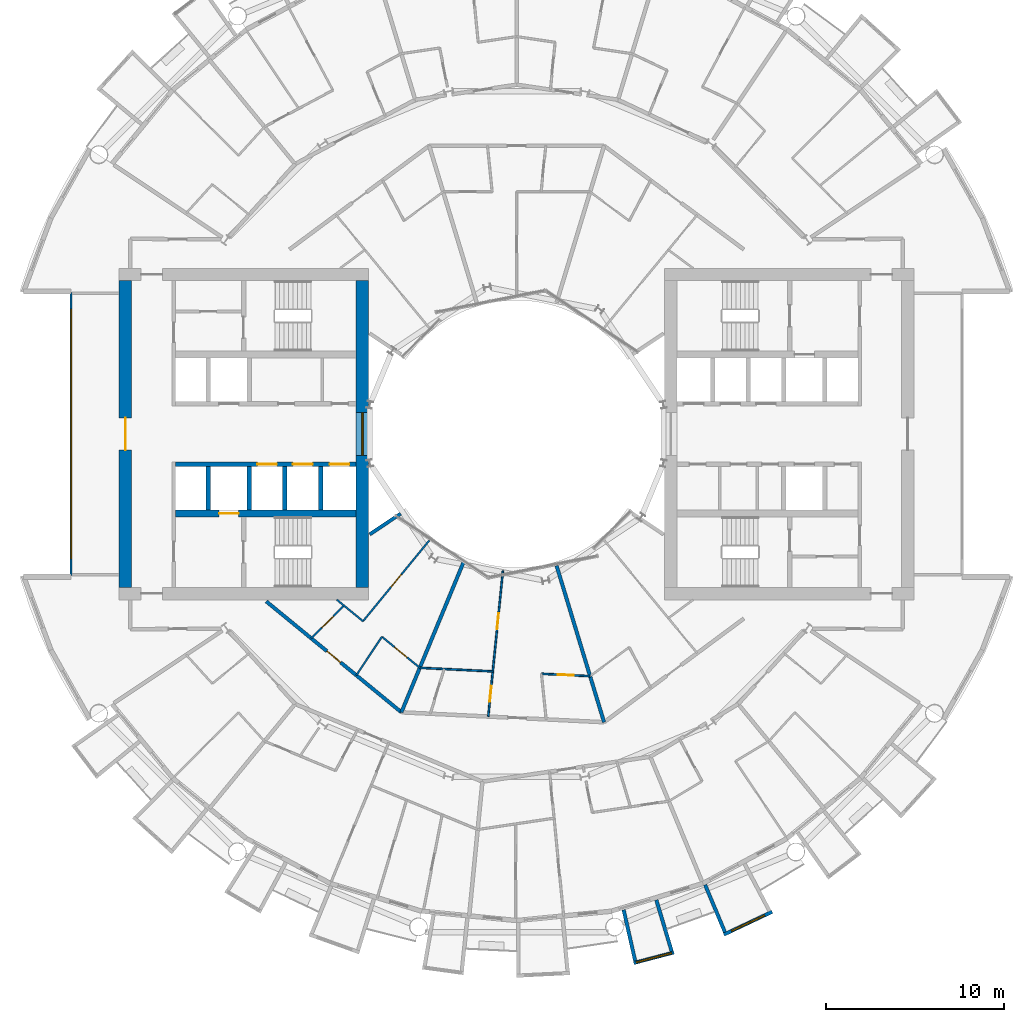
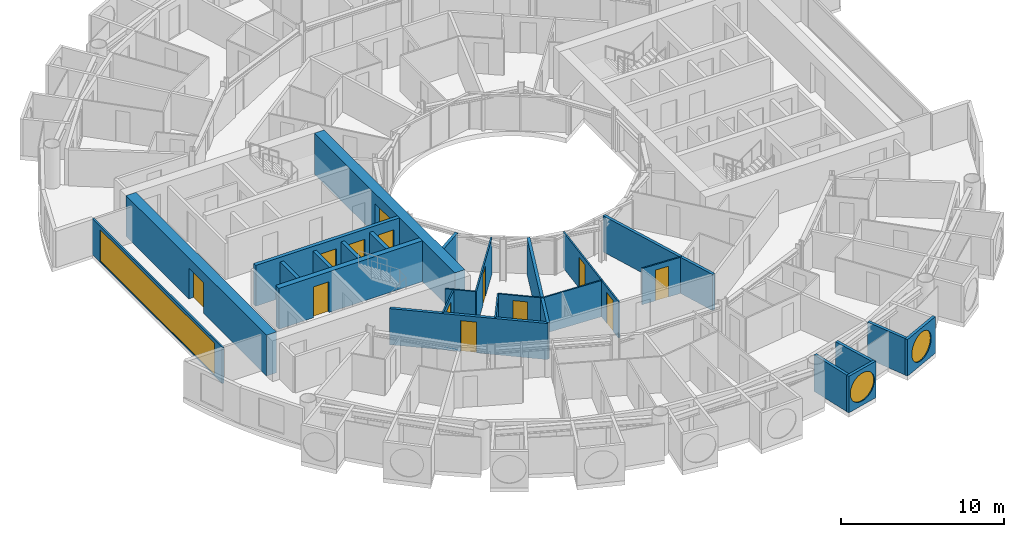
# One storey, part 15 of 26: 26 walls, 12 doors, 4 windows, 16 openings.
"""IFC4 building model written with IfcOpenShell, lengths in metres."""

from ifc_helpers import new_model, si_unit, direction, frame, frame_2d, origin, place, context, subcontext, project, spatial, rectangle, circle, extrude, material, layer, layer_set, type_object, element, fill, save


model = new_model("IFC4")

# Units and contexts
model_context = context("Model", 3, precision=1e-05, world=origin(), true_north=direction((0.0, 1.0)))
body_context = subcontext(model_context, "Body", "Model", "MODEL_VIEW")
ifc_project = project(units=[si_unit("LENGTHUNIT", "METRE"), si_unit("AREAUNIT", "SQUARE_METRE"), si_unit("VOLUMEUNIT", "CUBIC_METRE"), si_unit("PLANEANGLEUNIT", "RADIAN"), si_unit("MASSUNIT", "GRAM", prefix="KILO")], contexts=[model_context])

# Site, building, storey
site_placement = place(None, origin())
site = spatial("IfcSite", under=ifc_project, at=site_placement, CompositionType="ELEMENT")
building_placement = place(site_placement, origin())
building = spatial("IfcBuilding", under=site, at=building_placement, Name="Maasbend Ring Residences", CompositionType="ELEMENT")
storey_placement = place(building_placement, frame((0.0, 0.0, 78.85009765625)))
storey = spatial("IfcBuildingStorey", under=building, at=storey_placement, Name="L22", CompositionType="ELEMENT", Elevation=78.85009765625)

# Wall, openings, doors
ifc_material_1 = material(Name="Concrete C70/85", Category="concrete")
ifc_layer_1 = layer(ifc_material_1, 0.25)
ifc_layer_set_1 = layer_set([ifc_layer_1], Name="Concrete C70/85")
wall_type_1 = type_object("IfcWallType", Name="CORE WALL 250 C70/85", PredefinedType="SHEAR", material=ifc_layer_set_1)
wall_1_placement = place(storey_placement, frame((-9.0, -1.699951171875, 0.0), z_axis=(0.0, 0.0, 1.0), x_axis=(-1.0, 0.0, 0.0)))
wall_1 = element("IfcWall", 1, at=wall_1_placement, inside=storey, type_object=wall_type_1, Name="L22 core W wall SPN", PredefinedType="SHEAR", context=body_context, shape_type="SweptSolid", body=[
    extrude(rectangle(XDim=10.14990234375, YDim=0.25, at=frame_2d((5.074951171875, 0.0))), origin(), (0.0, 0.0, 1.0), 3.0498046875),
])
opening_1_placement = place(wall_1_placement, frame((0.387451171875, 0.0, 0.0)))
opening_1 = element("IfcOpeningElement", 2, at=opening_1_placement, cuts=wall_1, Name="Opening LD-W2201", PredefinedType="OPENING", context=body_context, shape_type="SweptSolid", body=[
    extrude(rectangle(XDim=1.10009765625, YDim=2.300048828125, at=frame_2d((0.550048828125, 1.14990234375))), frame((0.0, 0.135009765625, 0.0), z_axis=(0.0, -1.0, 0.0), x_axis=(1.0, 0.0, 0.0)), (0.0, 0.0, 1.0), 0.27001953125),
])
opening_2_placement = place(wall_1_placement, frame((2.449951171875, 0.0, 0.0)))
opening_2 = element("IfcOpeningElement", 3, at=opening_2_placement, cuts=wall_1, Name="Opening LD-W2202", PredefinedType="OPENING", context=body_context, shape_type="SweptSolid", body=[
    extrude(rectangle(XDim=1.10009765625, YDim=2.300048828125, at=frame_2d((0.550048828125, 1.14990234375))), frame((0.0, 0.135009765625, 0.0), z_axis=(0.0, -1.0, 0.0), x_axis=(1.0, 0.0, 0.0)), (0.0, 0.0, 1.0), 0.27001953125),
])
opening_3_placement = place(wall_1_placement, frame((4.449951171875, 0.0, 0.0)))
opening_3 = element("IfcOpeningElement", 4, at=opening_3_placement, cuts=wall_1, Name="Opening LD-W2203", PredefinedType="OPENING", context=body_context, shape_type="SweptSolid", body=[
    extrude(rectangle(XDim=1.10009765625, YDim=2.300048828125, at=frame_2d((0.550048828125, 1.14990234375))), frame((0.0, 0.135009765625, 0.0), z_axis=(0.0, -1.0, 0.0), x_axis=(1.0, 0.0, 0.0)), (0.0, 0.0, 1.0), 0.27001953125),
])
ifc_material_2 = material(Name="Stainless steel 316", Category="steel")
door_type_1 = type_object("IfcDoorType", Name="LANDING DOOR 1100 X 2300 FD60", OperationType="DOUBLE_DOOR_SLIDING", PredefinedType="DOOR", material=ifc_material_2)
door_1_placement = place(opening_1_placement, origin())
door_1 = element("IfcDoor", 5, at=door_1_placement, inside=storey, type_object=door_type_1, Name="Landing door LR-W1 L22", OperationType="DOUBLE_DOOR_SLIDING", OverallHeight=2.300048828125, OverallWidth=1.10009765625, PredefinedType="DOOR", context=body_context, shape_type="SweptSolid", body=[
    extrude(rectangle(XDim=1.10009765625, YDim=2.300048828125, at=frame_2d((0.550048828125, 1.14990234375))), frame((0.0, 0.02490234375, 0.0), z_axis=(0.0, -1.0, 0.0), x_axis=(1.0, 0.0, 0.0)), (0.0, 0.0, 1.0), 0.050048828125),
])
fill(opening_1, door_1)
door_2_placement = place(opening_2_placement, origin())
door_2 = element("IfcDoor", 6, at=door_2_placement, inside=storey, type_object=door_type_1, Name="Landing door LR-W2 L22", OperationType="DOUBLE_DOOR_SLIDING", OverallHeight=2.300048828125, OverallWidth=1.10009765625, PredefinedType="DOOR", context=body_context, shape_type="SweptSolid", body=[
    extrude(rectangle(XDim=1.10009765625, YDim=2.300048828125, at=frame_2d((0.550048828125, 1.14990234375))), frame((0.0, 0.02490234375, 0.0), z_axis=(0.0, -1.0, 0.0), x_axis=(1.0, 0.0, 0.0)), (0.0, 0.0, 1.0), 0.050048828125),
])
fill(opening_2, door_2)
door_3_placement = place(opening_3_placement, origin())
door_3 = element("IfcDoor", 7, at=door_3_placement, inside=storey, type_object=door_type_1, Name="Landing door LR-W3 L22", OperationType="DOUBLE_DOOR_SLIDING", OverallHeight=2.300048828125, OverallWidth=1.10009765625, PredefinedType="DOOR", context=body_context, shape_type="SweptSolid", body=[
    extrude(rectangle(XDim=1.10009765625, YDim=2.300048828125, at=frame_2d((0.550048828125, 1.14990234375))), frame((0.0, 0.02490234375, 0.0), z_axis=(0.0, -1.0, 0.0), x_axis=(1.0, 0.0, 0.0)), (0.0, 0.0, 1.0), 0.050048828125),
])
fill(opening_3, door_3)

# Wall, opening, door
ifc_material_3 = material(Name="Concrete C70/85", Category="concrete")
ifc_layer_2 = layer(ifc_material_3, 0.375)
ifc_layer_set_2 = layer_set([ifc_layer_2], Name="Concrete C70/85")
wall_type_2 = type_object("IfcWallType", Name="CORE WALL 375 C70/85", PredefinedType="SHEAR", material=ifc_layer_set_2)
wall_2_placement = place(storey_placement, frame((-9.0, -4.46240234375, 0.0), z_axis=(0.0, 0.0, 1.0), x_axis=(-1.0, 0.0, 0.0)))
wall_2 = element("IfcWall", 8, at=wall_2_placement, inside=storey, type_object=wall_type_2, Name="L22 core W wall BN", PredefinedType="SHEAR", context=body_context, shape_type="SweptSolid", body=[
    extrude(rectangle(XDim=10.14990234375, YDim=0.375, at=frame_2d((5.074951171875, 0.0))), origin(), (0.0, 0.0, 1.0), 3.0498046875),
])
opening_4_placement = place(wall_2_placement, frame((6.60009765625, 0.0, 0.0)))
opening_4 = element("IfcOpeningElement", 9, at=opening_4_placement, cuts=wall_2, Name="Opening LD-W2204", PredefinedType="OPENING", context=body_context, shape_type="SweptSolid", body=[
    extrude(rectangle(XDim=1.10009765625, YDim=2.300048828125, at=frame_2d((0.550048828125, 1.14990234375))), frame((0.0, 0.197509765625, 0.0), z_axis=(0.0, -1.0, 0.0), x_axis=(1.0, 0.0, 0.0)), (0.0, 0.0, 1.0), 0.39501953125),
])
door_4_placement = place(opening_4_placement, origin())
door_4 = element("IfcDoor", 10, at=door_4_placement, inside=storey, type_object=door_type_1, Name="Landing door FF-W L22", OperationType="DOUBLE_DOOR_SLIDING", OverallHeight=2.300048828125, OverallWidth=1.10009765625, PredefinedType="DOOR", context=body_context, shape_type="SweptSolid", body=[
    extrude(rectangle(XDim=1.10009765625, YDim=2.300048828125, at=frame_2d((0.550048828125, 1.14990234375))), frame((0.0, 0.02490234375, 0.0), z_axis=(0.0, -1.0, 0.0), x_axis=(1.0, 0.0, 0.0)), (0.0, 0.0, 1.0), 0.050048828125),
])
fill(opening_4, door_4)

ifc_material_4 = material(Name="Concrete C70/85", Category="concrete")
ifc_layer_3 = layer(ifc_material_4, 0.699951171875)
ifc_layer_set_3 = layer_set([ifc_layer_3], Name="Concrete C70/85")
wall_type_3 = type_object("IfcWallType", Name="CORE WALL 700 C70/85", PredefinedType="SHEAR", material=ifc_layer_set_3)
wall_3_placement = place(storey_placement, frame((-21.949951171875, -8.60009765625, 0.0), z_axis=(0.0, 0.0, 1.0), x_axis=(0.0, 1.0, 0.0)))
wall_3 = element("IfcWall", 11, at=wall_3_placement, inside=storey, type_object=wall_type_3, Name="L22 core W wall POUT", PredefinedType="SHEAR", context=body_context, shape_type="SweptSolid", body=[
    extrude(rectangle(XDim=17.2001953125, YDim=0.699951171875, at=frame_2d((8.60009765625, 0.0))), origin(), (0.0, 0.0, 1.0), 3.0498046875),
])
opening_5_placement = place(wall_3_placement, frame((7.699951171875, 0.0, 0.0)))
opening_5 = element("IfcOpeningElement", 12, at=opening_5_placement, cuts=wall_3, Name="Opening D-W2215", PredefinedType="OPENING", context=body_context, shape_type="SweptSolid", body=[
    extrude(rectangle(XDim=1.800048828125, YDim=2.300048828125, at=frame_2d((0.89990234375, 1.14990234375))), frame((0.0, 0.35986328125, 0.0), z_axis=(0.0, -1.0, 0.0), x_axis=(1.0, 0.0, 0.0)), (0.0, 0.0, 1.0), 0.719970703125),
])
ifc_material_5 = material(Name="Aluminium frame, clear glass", Category="aluminium")
door_type_2 = type_object("IfcDoorType", Name="ENTRANCE DOOR 1800 X 2300 FD60", OperationType="NOTDEFINED", PredefinedType="DOOR", material=ifc_material_5)
door_5_placement = place(opening_5_placement, origin())
door_5 = element("IfcDoor", 13, at=door_5_placement, inside=storey, type_object=door_type_2, Name="Lobby glazed door L22", OperationType="SINGLE_SWING_LEFT", OverallHeight=2.300048828125, OverallWidth=1.800048828125, PredefinedType="DOOR", context=body_context, shape_type="SweptSolid", body=[
    extrude(rectangle(XDim=1.800048828125, YDim=2.300048828125, at=frame_2d((0.89990234375, 1.14990234375))), frame((0.0, 0.02490234375, 0.0), z_axis=(0.0, -1.0, 0.0), x_axis=(1.0, 0.0, 0.0)), (0.0, 0.0, 1.0), 0.050048828125),
])
fill(opening_5, door_5)

# Wall, opening, window
wall_4_placement = place(storey_placement, frame((-8.64990234375, 8.60009765625, 0.0), z_axis=(0.0, 0.0, 1.0), x_axis=(0.0, -1.0, 0.0)))
wall_4 = element("IfcWall", 14, at=wall_4_placement, inside=storey, type_object=wall_type_3, Name="L22 core W wall PIN", PredefinedType="SHEAR", context=body_context, shape_type="SweptSolid", body=[
    extrude(rectangle(XDim=17.2001953125, YDim=0.699951171875, at=frame_2d((8.60009765625, 0.0))), origin(), (0.0, 0.0, 1.0), 3.0498046875),
])
opening_6_placement = place(wall_4_placement, frame((7.39990234375, 0.0, 0.10009765625)))
opening_6 = element("IfcOpeningElement", 15, at=opening_6_placement, cuts=wall_4, Name="Opening W-W2201", PredefinedType="OPENING", context=body_context, shape_type="SweptSolid", body=[
    extrude(rectangle(XDim=2.39990234375, YDim=2.199951171875, at=frame_2d((1.199951171875, 1.10009765625))), frame((0.0, 0.35986328125, 0.0), z_axis=(0.0, -1.0, 0.0), x_axis=(1.0, 0.0, 0.0)), (0.0, 0.0, 1.0), 0.719970703125),
])
ifc_material_6 = material(Name="Aluminium frame and clear glass", Category="aluminium")
window_type_1 = type_object("IfcWindowType", Name="FIXED WINDOW 2400 X 2200", PartitioningType="SINGLE_PANEL", PredefinedType="WINDOW", material=ifc_material_6)
window_1_placement = place(opening_6_placement, origin())
window_1 = element("IfcWindow", 16, at=window_1_placement, inside=storey, type_object=window_type_1, Name="Lobby window L22", OverallHeight=2.199951171875, OverallWidth=2.39990234375, PartitioningType="SINGLE_PANEL", PredefinedType="WINDOW", context=body_context, shape_type="SweptSolid", body=[
    extrude(rectangle(XDim=2.39990234375, YDim=2.199951171875, at=frame_2d((1.199951171875, 1.10009765625))), frame((0.0, 0.030029296875, 0.0), z_axis=(0.0, -1.0, 0.0), x_axis=(1.0, 0.0, 0.0)), (0.0, 0.0, 1.0), 0.06005859375),
])
fill(opening_6, window_1)

# Wall, opening, door
ifc_material_7 = material(Name="Concrete C30/37", Category="concrete")
ifc_layer_4 = layer(ifc_material_7, 0.199951171875)
ifc_layer_set_4 = layer_set([ifc_layer_4], Name="Concrete C30/37")
wall_type_4 = type_object("IfcWallType", Name="CORRIDOR WALL 200 CONCRETE", PredefinedType="PARTITIONING", material=ifc_layer_set_4)
wall_5_placement = place(storey_placement, frame((-14.050048828125, -9.39208984375, 0.0), z_axis=(0.0, 0.0, 1.0), x_axis=(0.773074935257, -0.634314704605, 0.0)))
wall_5 = element("IfcWall", 17, at=wall_5_placement, inside=storey, type_object=wall_type_4, Name="U-L22-w019", PredefinedType="PARTITIONING", context=body_context, shape_type="SweptSolid", body=[
    extrude(rectangle(XDim=9.808837890625, YDim=0.199951171875, at=frame_2d((4.904296875, 0.0))), origin(), (0.0, 0.0, 1.0), 2.699951171875),
])
opening_7_placement = place(wall_5_placement, frame((4.402099609375, 0.0, 0.0)))
opening_7 = element("IfcOpeningElement", 18, at=opening_7_placement, cuts=wall_5, Name="Opening D-2255", PredefinedType="OPENING", context=body_context, shape_type="SweptSolid", body=[
    extrude(rectangle(XDim=1.0, YDim=2.300048828125, at=frame_2d((0.5, 1.14990234375))), frame((0.0, 0.10986328125, 0.0), z_axis=(0.0, -1.0, 0.0), x_axis=(1.0, 0.0, 0.0)), (0.0, 0.0, 1.0), 0.219970703125),
])
ifc_material_8 = material(Name="Timber, fire-rated, painted", Category="wood")
door_type_3 = type_object("IfcDoorType", Name="FLAT ENTRANCE DOOR 1000 X 2300 FIRE-RATED", OperationType="NOTDEFINED", PredefinedType="DOOR", material=ifc_material_8)
door_6_placement = place(opening_7_placement, origin())
door_6 = element("IfcDoor", 19, at=door_6_placement, inside=storey, type_object=door_type_3, Name="D-2255", OperationType="SINGLE_SWING_LEFT", OverallHeight=2.300048828125, OverallWidth=1.0, PredefinedType="DOOR", context=body_context, shape_type="SweptSolid", body=[
    extrude(rectangle(XDim=1.0, YDim=2.300048828125, at=frame_2d((0.5, 1.14990234375))), frame((0.0, 0.02490234375, 0.0), z_axis=(0.0, -1.0, 0.0), x_axis=(1.0, 0.0, 0.0)), (0.0, 0.0, 1.0), 0.050048828125),
])
fill(opening_7, door_6)

# Wall, opening, window
ifc_material_9 = material(Name="Pale anodised aluminium panel", Category="aluminium")
ifc_layer_5 = layer(ifc_material_9, 0.199951171875)
ifc_layer_set_5 = layer_set([ifc_layer_5], Name="EW-BOX")
wall_type_5 = type_object("IfcWallType", Name="EW-BOX", PredefinedType="SOLIDWALL", material=ifc_layer_set_5)
wall_6_placement = place(storey_placement, frame((6.568115234375, -29.681884765625, -0.030029296875), z_axis=(0.0, 0.0, 1.0), x_axis=(0.967377102346, 0.253340762326, 0.0)))
wall_6 = element("IfcWall", 20, at=wall_6_placement, inside=storey, type_object=wall_type_5, Name="Box front S13", PredefinedType="SOLIDWALL", context=body_context, shape_type="SweptSolid", body=[
    extrude(rectangle(XDim=2.3359375, YDim=0.199951171875, at=frame_2d((1.16796875, 0.0))), origin(), (0.0, 0.0, 1.0), 2.72998046875),
])
opening_8_placement = place(wall_6_placement, frame((0.128173828125, 0.0, 0.330078125)))
opening_8 = element("IfcOpeningElement", 21, at=opening_8_placement, cuts=wall_6, Name="Opening W-RD", PredefinedType="OPENING", context=body_context, shape_type="SweptSolid", body=[
    extrude(circle(Radius=1.0400390625, at=frame_2d((1.0400390625, 1.0400390625))), frame((0.0, 0.10986328125, 0.0), z_axis=(0.0, -1.0, 0.0), x_axis=(1.0, 0.0, 0.0)), (0.0, 0.0, 1.0), 0.219970703125),
])
ifc_material_10 = material(Name="Aluminium and clear glass", Category="aluminium")
window_type_2 = type_object("IfcWindowType", Name="W-RD", PartitioningType="SINGLE_PANEL", PredefinedType="WINDOW", material=ifc_material_10)
window_2_placement = place(opening_8_placement, origin())
window_2 = element("IfcWindow", 22, at=window_2_placement, inside=storey, type_object=window_type_2, Name="Round window S13", OverallHeight=2.080078125, OverallWidth=2.080078125, PartitioningType="SINGLE_PANEL", PredefinedType="WINDOW", context=body_context, shape_type="SweptSolid", body=[
    extrude(circle(Radius=1.0400390625, at=frame_2d((1.0400390625, 1.0400390625))), frame((0.0, 0.030029296875, 0.0), z_axis=(0.0, -1.0, 0.0), x_axis=(1.0, 0.0, 0.0)), (0.0, 0.0, 1.0), 0.06005859375),
])
fill(opening_8, window_2)

# Walls
wall_7_placement = place(storey_placement, frame((6.00390625, -26.699951171875, -0.030029296875), z_axis=(0.0, 0.0, 1.0), x_axis=(0.219609259383, -0.975587911566, 0.0)))
element("IfcWall", 23, at=wall_7_placement, inside=storey, type_object=wall_type_5, Name="Box side wall S13 left", PredefinedType="SOLIDWALL", context=body_context, shape_type="SweptSolid", body=[
    extrude(rectangle(XDim=2.9326171875, YDim=0.199951171875, at=frame_2d((1.46630859375, 0.0))), origin(), (0.0, 0.0, 1.0), 2.72998046875),
])
wall_8_placement = place(storey_placement, frame((7.8369140625, -26.14404296875, -0.030029296875), z_axis=(0.0, 0.0, 1.0), x_axis=(0.287064767992, -0.957911174889, 0.0)))
element("IfcWall", 24, at=wall_8_placement, inside=storey, type_object=wall_type_5, Name="Box side wall S13 right", PredefinedType="SOLIDWALL", context=body_context, shape_type="SweptSolid", body=[
    extrude(rectangle(XDim=3.00634765625, YDim=0.199951171875, at=frame_2d((1.503173828125, 0.0))), origin(), (0.0, 0.0, 1.0), 2.72998046875),
])

# Wall, opening, window
wall_9_placement = place(storey_placement, frame((11.62890625, -28.087890625, -0.030029296875), z_axis=(0.0, 0.0, 1.0), x_axis=(0.904000060331, 0.427532327342, 0.0)))
wall_9 = element("IfcWall", 25, at=wall_9_placement, inside=storey, type_object=wall_type_5, Name="Box front S15", PredefinedType="SOLIDWALL", context=body_context, shape_type="SweptSolid", body=[
    extrude(rectangle(XDim=2.993408203125, YDim=0.199951171875, at=frame_2d((1.49658203125, 0.0))), origin(), (0.0, 0.0, 1.0), 2.72998046875),
])
opening_9_placement = place(wall_9_placement, frame((0.45654296875, 0.0, 0.330078125)))
opening_9 = element("IfcOpeningElement", 26, at=opening_9_placement, cuts=wall_9, Name="Opening W-RD", PredefinedType="OPENING", context=body_context, shape_type="SweptSolid", body=[
    extrude(circle(Radius=1.0400390625, at=frame_2d((1.0400390625, 1.0400390625))), frame((0.0, 0.10986328125, 0.0), z_axis=(0.0, -1.0, 0.0), x_axis=(1.0, 0.0, 0.0)), (0.0, 0.0, 1.0), 0.219970703125),
])
window_3_placement = place(opening_9_placement, origin())
window_3 = element("IfcWindow", 27, at=window_3_placement, inside=storey, type_object=window_type_2, Name="Round window S15", OverallHeight=2.080078125, OverallWidth=2.080078125, PartitioningType="SINGLE_PANEL", PredefinedType="WINDOW", context=body_context, shape_type="SweptSolid", body=[
    extrude(circle(Radius=1.0400390625, at=frame_2d((1.0400390625, 1.0400390625))), frame((0.0, 0.030029296875, 0.0), z_axis=(0.0, -1.0, 0.0), x_axis=(1.0, 0.0, 0.0)), (0.0, 0.0, 1.0), 0.06005859375),
])
fill(opening_9, window_3)

# Wall
wall_10_placement = place(storey_placement, frame((10.574951171875, -25.294921875, -0.030029296875), z_axis=(0.0, 0.0, 1.0), x_axis=(0.385697364644, -0.922625353492, 0.0)))
element("IfcWall", 28, at=wall_10_placement, inside=storey, type_object=wall_type_5, Name="Box side wall S15 left", PredefinedType="SOLIDWALL", context=body_context, shape_type="SweptSolid", body=[
    extrude(rectangle(XDim=2.88330078125, YDim=0.199951171875, at=frame_2d((1.441650390625, 0.0))), origin(), (0.0, 0.0, 1.0), 2.72998046875),
])

# Wall, opening, window
ifc_material_11 = material(Name="Aluminium frame and clear glass", Category="aluminium")
ifc_layer_6 = layer(ifc_material_11, 0.1201171875)
ifc_layer_set_6 = layer_set([ifc_layer_6], Name="GLAZED SCREEN WALL 120 EI 60")
wall_type_6 = type_object("IfcWallType", Name="GLAZED SCREEN WALL 120 EI 60", PredefinedType="PARTITIONING", material=ifc_layer_set_6)
wall_11_placement = place(storey_placement, frame((-25.0, 7.949951171875, 0.0), z_axis=(0.0, 0.0, 1.0), x_axis=(0.0, -1.0, 0.0)))
wall_11 = element("IfcWall", 29, at=wall_11_placement, inside=storey, type_object=wall_type_6, Name="L22 core W wall FACE", PredefinedType="PARTITIONING", context=body_context, shape_type="SweptSolid", body=[
    extrude(rectangle(XDim=15.89990234375, YDim=0.1201171875, at=frame_2d((7.949951171875, 0.0))), origin(), (0.0, 0.0, 1.0), 2.699951171875),
])
opening_10_placement = place(wall_11_placement, frame((0.949951171875, 0.0, 0.10009765625)))
opening_10 = element("IfcOpeningElement", 30, at=opening_10_placement, cuts=wall_11, Name="Opening W-W2202", PredefinedType="OPENING", context=body_context, shape_type="SweptSolid", body=[
    extrude(rectangle(XDim=14.0, YDim=2.35009765625, at=frame_2d((7.0, 1.175048828125))), frame((0.0, 0.070068359375, 0.0), z_axis=(0.0, -1.0, 0.0), x_axis=(1.0, 0.0, 0.0)), (0.0, 0.0, 1.0), 0.14013671875),
])
ifc_material_12 = material(Name="Aluminium frame and clear glass", Category="aluminium")
window_type_3 = type_object("IfcWindowType", Name="FIXED WINDOW 14000 X 2350", PartitioningType="SINGLE_PANEL", PredefinedType="WINDOW", material=ifc_material_12)
window_4_placement = place(opening_10_placement, origin())
window_4 = element("IfcWindow", 31, at=window_4_placement, inside=storey, type_object=window_type_3, Name="Lobby window L22", OverallHeight=2.35009765625, OverallWidth=14.0, PartitioningType="SINGLE_PANEL", PredefinedType="WINDOW", context=body_context, shape_type="SweptSolid", body=[
    extrude(rectangle(XDim=14.0, YDim=2.35009765625, at=frame_2d((7.0, 1.175048828125))), frame((0.0, 0.030029296875, 0.0), z_axis=(0.0, -1.0, 0.0), x_axis=(1.0, 0.0, 0.0)), (0.0, 0.0, 1.0), 0.06005859375),
])
fill(opening_10, window_4)

# Wall
ifc_material_13 = material(Name="Gypsum board on steel studs", Category="steel")
ifc_layer_7 = layer(ifc_material_13, 0.10009765625)
ifc_layer_set_7 = layer_set([ifc_layer_7], Name="PARTITION 100 GYPSUM")
wall_type_7 = type_object("IfcWallType", Name="PARTITION 100 GYPSUM", PredefinedType="PARTITIONING", material=ifc_layer_set_7)
wall_12_placement = place(storey_placement, frame((-10.093017578125, -9.2958984375, 0.0), z_axis=(0.0, 0.0, 1.0), x_axis=(0.772957368531, -0.6344579627, 0.0)))
element("IfcWall", 32, at=wall_12_placement, inside=storey, type_object=wall_type_7, Name="U-L22-w022", PredefinedType="PARTITIONING", context=body_context, shape_type="SweptSolid", body=[
    extrude(rectangle(XDim=1.905517578125, YDim=0.10009765625, at=frame_2d((0.95263671875, 0.0))), origin(), (0.0, 0.0, 1.0), 2.699951171875),
])

# Wall, opening, door
wall_13_placement = place(storey_placement, frame((-7.55810546875, -11.3759765625, 0.0), z_axis=(0.0, 0.0, 1.0), x_axis=(0.773049907698, -0.634345205868, 0.0)))
wall_13 = element("IfcWall", 33, at=wall_13_placement, inside=storey, type_object=wall_type_7, Name="U-L22-w023", PredefinedType="PARTITIONING", context=body_context, shape_type="SweptSolid", body=[
    extrude(rectangle(XDim=2.74755859375, YDim=0.10009765625, at=frame_2d((1.373779296875, 0.0))), origin(), (0.0, 0.0, 1.0), 2.699951171875),
])
opening_11_placement = place(wall_13_placement, frame((0.924072265625, 0.0, 0.0)))
opening_11 = element("IfcOpeningElement", 34, at=opening_11_placement, cuts=wall_13, Name="Opening D-2256", PredefinedType="OPENING", context=body_context, shape_type="SweptSolid", body=[
    extrude(rectangle(XDim=0.89990234375, YDim=2.300048828125, at=frame_2d((0.449951171875, 1.14990234375))), frame((0.0, 0.06005859375, 0.0), z_axis=(0.0, -1.0, 0.0), x_axis=(1.0, 0.0, 0.0)), (0.0, 0.0, 1.0), 0.1201171875),
])
ifc_material_14 = material(Name="Timber, painted", Category="wood")
door_type_4 = type_object("IfcDoorType", Name="INTERNAL DOOR 900 X 2300", OperationType="NOTDEFINED", PredefinedType="DOOR", material=ifc_material_14)
door_7_placement = place(opening_11_placement, origin())
door_7 = element("IfcDoor", 35, at=door_7_placement, inside=storey, type_object=door_type_4, Name="D-2256", OperationType="SINGLE_SWING_LEFT", OverallHeight=2.300048828125, OverallWidth=0.89990234375, PredefinedType="DOOR", context=body_context, shape_type="SweptSolid", body=[
    extrude(rectangle(XDim=0.89990234375, YDim=2.300048828125, at=frame_2d((0.449951171875, 1.14990234375))), frame((0.0, 0.02490234375, 0.0), z_axis=(0.0, -1.0, 0.0), x_axis=(1.0, 0.0, 0.0)), (0.0, 0.0, 1.0), 0.050048828125),
])
fill(opening_11, door_7)

# Wall
wall_14_placement = place(storey_placement, frame((-5.43408203125, -13.118896484375, 0.0), z_axis=(0.0, 0.0, 1.0), x_axis=(0.998795469779, -0.049067398026, 0.0)))
element("IfcWall", 36, at=wall_14_placement, inside=storey, type_object=wall_type_7, Name="U-L22-w024", PredefinedType="PARTITIONING", context=body_context, shape_type="SweptSolid", body=[
    extrude(rectangle(XDim=4.099853515625, YDim=0.10009765625, at=frame_2d((2.0498046875, 0.0))), origin(), (0.0, 0.0, 1.0), 2.699951171875),
])

# Wall, opening, door
wall_15_placement = place(storey_placement, frame((1.39697265625, -13.4541015625, 0.0), z_axis=(0.0, 0.0, 1.0), x_axis=(0.99880129942, -0.048948588095, 0.0)))
wall_15 = element("IfcWall", 37, at=wall_15_placement, inside=storey, type_object=wall_type_7, Name="U-L22-w025", PredefinedType="PARTITIONING", context=body_context, shape_type="SweptSolid", body=[
    extrude(rectangle(XDim=2.733154296875, YDim=0.10009765625, at=frame_2d((1.36669921875, 0.0))), origin(), (0.0, 0.0, 1.0), 2.699951171875),
])
opening_12_placement = place(wall_15_placement, frame((0.912109375, 0.0, 0.0)))
opening_12 = element("IfcOpeningElement", 38, at=opening_12_placement, cuts=wall_15, Name="Opening D-2260", PredefinedType="OPENING", context=body_context, shape_type="SweptSolid", body=[
    extrude(rectangle(XDim=0.89990234375, YDim=2.300048828125, at=frame_2d((0.449951171875, 1.14990234375))), frame((0.0, 0.06005859375, 0.0), z_axis=(0.0, -1.0, 0.0), x_axis=(1.0, 0.0, 0.0)), (0.0, 0.0, 1.0), 0.1201171875),
])
door_8_placement = place(opening_12_placement, origin())
door_8 = element("IfcDoor", 39, at=door_8_placement, inside=storey, type_object=door_type_4, Name="D-2260", OperationType="SINGLE_SWING_LEFT", OverallHeight=2.300048828125, OverallWidth=0.89990234375, PredefinedType="DOOR", context=body_context, shape_type="SweptSolid", body=[
    extrude(rectangle(XDim=0.89990234375, YDim=2.300048828125, at=frame_2d((0.449951171875, 1.14990234375))), frame((0.0, 0.02490234375, 0.0), z_axis=(0.0, -1.0, 0.0), x_axis=(1.0, 0.0, 0.0)), (0.0, 0.0, 1.0), 0.050048828125),
])
fill(opening_12, door_8)

wall_16_placement = place(storey_placement, frame((-11.52392578125, -11.464111328125, 0.0), z_axis=(0.0, 0.0, 1.0), x_axis=(0.708796844581, 0.705412668665, 0.0)))
wall_16 = element("IfcWall", 40, at=wall_16_placement, inside=storey, type_object=wall_type_7, Name="U-L22-w047", PredefinedType="PARTITIONING", context=body_context, shape_type="SweptSolid", body=[
    extrude(rectangle(XDim=2.59716796875, YDim=0.10009765625, at=frame_2d((1.298583984375, 0.0))), origin(), (0.0, 0.0, 1.0), 2.699951171875),
])
opening_13_placement = place(wall_16_placement, frame((0.84912109375, 0.0, 0.0)))
opening_13 = element("IfcOpeningElement", 41, at=opening_13_placement, cuts=wall_16, Name="Opening D-2257", PredefinedType="OPENING", context=body_context, shape_type="SweptSolid", body=[
    extrude(rectangle(XDim=0.89990234375, YDim=2.300048828125, at=frame_2d((0.449951171875, 1.14990234375))), frame((0.0, 0.06005859375, 0.0), z_axis=(0.0, -1.0, 0.0), x_axis=(1.0, 0.0, 0.0)), (0.0, 0.0, 1.0), 0.1201171875),
])
door_9_placement = place(opening_13_placement, origin())
door_9 = element("IfcDoor", 42, at=door_9_placement, inside=storey, type_object=door_type_4, Name="D-2257", OperationType="SINGLE_SWING_RIGHT", OverallHeight=2.300048828125, OverallWidth=0.89990234375, PredefinedType="DOOR", context=body_context, shape_type="SweptSolid", body=[
    extrude(rectangle(XDim=0.89990234375, YDim=2.300048828125, at=frame_2d((0.449951171875, 1.14990234375))), frame((0.0, 0.02490234375, 0.0), z_axis=(0.0, -1.0, 0.0), x_axis=(1.0, 0.0, 0.0)), (0.0, 0.0, 1.0), 0.050048828125),
])
fill(opening_13, door_9)

# Wall
wall_17_placement = place(storey_placement, frame((-8.99609375, -13.5390625, 0.0), z_axis=(0.0, 0.0, 1.0), x_axis=(0.553615197403, 0.83277260594, 0.0)))
element("IfcWall", 43, at=wall_17_placement, inside=storey, type_object=wall_type_7, Name="U-L22-w051", PredefinedType="PARTITIONING", context=body_context, shape_type="SweptSolid", body=[
    extrude(rectangle(XDim=2.597412109375, YDim=0.10009765625, at=frame_2d((1.298828125, 0.0))), origin(), (0.0, 0.0, 1.0), 2.699951171875),
])

# Wall, opening, door
wall_18_placement = place(storey_placement, frame((-8.6201171875, -10.50390625, 0.0), z_axis=(0.0, 0.0, 1.0), x_axis=(0.634358693064, 0.773038840249, 0.0)))
wall_18 = element("IfcWall", 44, at=wall_18_placement, inside=storey, type_object=wall_type_7, Name="U-L22-w052", PredefinedType="PARTITIONING", context=body_context, shape_type="SweptSolid", body=[
    extrude(rectangle(XDim=5.86767578125, YDim=0.10009765625, at=frame_2d((2.933837890625, 0.0))), origin(), (0.0, 0.0, 1.0), 2.699951171875),
])
opening_14_placement = place(wall_18_placement, frame((2.48388671875, 0.0, 0.0)))
opening_14 = element("IfcOpeningElement", 45, at=opening_14_placement, cuts=wall_18, Name="Opening D-2258", PredefinedType="OPENING", context=body_context, shape_type="SweptSolid", body=[
    extrude(rectangle(XDim=0.89990234375, YDim=2.300048828125, at=frame_2d((0.449951171875, 1.14990234375))), frame((0.0, 0.06005859375, 0.0), z_axis=(0.0, -1.0, 0.0), x_axis=(1.0, 0.0, 0.0)), (0.0, 0.0, 1.0), 0.1201171875),
])
door_10_placement = place(opening_14_placement, origin())
door_10 = element("IfcDoor", 46, at=door_10_placement, inside=storey, type_object=door_type_4, Name="D-2258", OperationType="SINGLE_SWING_RIGHT", OverallHeight=2.300048828125, OverallWidth=0.89990234375, PredefinedType="DOOR", context=body_context, shape_type="SweptSolid", body=[
    extrude(rectangle(XDim=0.89990234375, YDim=2.300048828125, at=frame_2d((0.449951171875, 1.14990234375))), frame((0.0, 0.02490234375, 0.0), z_axis=(0.0, -1.0, 0.0), x_axis=(1.0, 0.0, 0.0)), (0.0, 0.0, 1.0), 0.050048828125),
])
fill(opening_14, door_10)

# Wall, openings, doors
wall_19_placement = place(storey_placement, frame((-1.593017578125, -15.85302734375, 0.0), z_axis=(0.0, 0.0, 1.0), x_axis=(0.100083483356, 0.994979043176, 0.0)))
wall_19 = element("IfcWall", 47, at=wall_19_placement, inside=storey, type_object=wall_type_7, Name="U-L22-w063", PredefinedType="PARTITIONING", context=body_context, shape_type="SweptSolid", body=[
    extrude(rectangle(XDim=8.21337890625, YDim=0.10009765625, at=frame_2d((4.106689453125, 0.0))), origin(), (0.0, 0.0, 1.0), 2.699951171875),
])
opening_15_placement = place(wall_19_placement, frame((0.822998046875, 0.0, 0.0)))
opening_15 = element("IfcOpeningElement", 48, at=opening_15_placement, cuts=wall_19, Name="Opening D-2261", PredefinedType="OPENING", context=body_context, shape_type="SweptSolid", body=[
    extrude(rectangle(XDim=0.89990234375, YDim=2.300048828125, at=frame_2d((0.449951171875, 1.14990234375))), frame((0.0, 0.06005859375, 0.0), z_axis=(0.0, -1.0, 0.0), x_axis=(1.0, 0.0, 0.0)), (0.0, 0.0, 1.0), 0.1201171875),
])
opening_16_placement = place(wall_19_placement, frame((4.930908203125, 0.0, 0.0)))
opening_16 = element("IfcOpeningElement", 49, at=opening_16_placement, cuts=wall_19, Name="Opening D-2263", PredefinedType="OPENING", context=body_context, shape_type="SweptSolid", body=[
    extrude(rectangle(XDim=0.89990234375, YDim=2.300048828125, at=frame_2d((0.449951171875, 1.14990234375))), frame((0.0, 0.06005859375, 0.0), z_axis=(0.0, -1.0, 0.0), x_axis=(1.0, 0.0, 0.0)), (0.0, 0.0, 1.0), 0.1201171875),
])
door_11_placement = place(opening_15_placement, origin())
door_11 = element("IfcDoor", 50, at=door_11_placement, inside=storey, type_object=door_type_4, Name="D-2261", OperationType="SINGLE_SWING_LEFT", OverallHeight=2.300048828125, OverallWidth=0.89990234375, PredefinedType="DOOR", context=body_context, shape_type="SweptSolid", body=[
    extrude(rectangle(XDim=0.89990234375, YDim=2.300048828125, at=frame_2d((0.449951171875, 1.14990234375))), frame((0.0, 0.02490234375, 0.0), z_axis=(0.0, -1.0, 0.0), x_axis=(1.0, 0.0, 0.0)), (0.0, 0.0, 1.0), 0.050048828125),
])
fill(opening_15, door_11)
door_12_placement = place(opening_16_placement, origin())
door_12 = element("IfcDoor", 51, at=door_12_placement, inside=storey, type_object=door_type_4, Name="D-2263", OperationType="SINGLE_SWING_RIGHT", OverallHeight=2.300048828125, OverallWidth=0.89990234375, PredefinedType="DOOR", context=body_context, shape_type="SweptSolid", body=[
    extrude(rectangle(XDim=0.89990234375, YDim=2.300048828125, at=frame_2d((0.449951171875, 1.14990234375))), frame((0.0, 0.02490234375, 0.0), z_axis=(0.0, -1.0, 0.0), x_axis=(1.0, 0.0, 0.0)), (0.0, 0.0, 1.0), 0.050048828125),
])
fill(opening_16, door_12)

# Walls
ifc_material_15 = material(Name="Concrete C30/37", Category="concrete")
ifc_layer_8 = layer(ifc_material_15, 0.199951171875)
ifc_layer_set_8 = layer_set([ifc_layer_8], Name="Concrete C30/37")
wall_type_8 = type_object("IfcWallType", Name="PARTY WALL 200 CONCRETE", PredefinedType="PARTITIONING", material=ifc_layer_set_8)
wall_20_placement = place(storey_placement, frame((-6.512939453125, -4.471923828125, 0.0), z_axis=(0.0, 0.0, 1.0), x_axis=(-0.831382204863, -0.555701025225, 0.0)))
element("IfcWall", 52, at=wall_20_placement, inside=storey, type_object=wall_type_8, Name="U-L22-w030", PredefinedType="PARTITIONING", context=body_context, shape_type="SweptSolid", body=[
    extrude(rectangle(XDim=2.08203125, YDim=0.199951171875, at=frame_2d((1.041015625, 0.0))), origin(), (0.0, 0.0, 1.0), 2.699951171875),
])
wall_21_placement = place(storey_placement, frame((-6.467041015625, -15.614013671875, 0.0), z_axis=(0.0, 0.0, 1.0), x_axis=(0.382646942224, 0.923894646378, 0.0)))
element("IfcWall", 53, at=wall_21_placement, inside=storey, type_object=wall_type_8, Name="U-L22-w056", PredefinedType="PARTITIONING", context=body_context, shape_type="SweptSolid", body=[
    extrude(rectangle(XDim=9.1806640625, YDim=0.199951171875, at=frame_2d((4.59033203125, 0.0))), origin(), (0.0, 0.0, 1.0), 2.699951171875),
])
wall_22_placement = place(storey_placement, frame((2.239990234375, -7.387939453125, 0.0), z_axis=(0.0, 0.0, 1.0), x_axis=(0.290420725025, -0.956899055531, 0.0)))
element("IfcWall", 54, at=wall_22_placement, inside=storey, type_object=wall_type_8, Name="U-L22-w071", PredefinedType="PARTITIONING", context=body_context, shape_type="SweptSolid", body=[
    extrude(rectangle(XDim=9.179931640625, YDim=0.199951171875, at=frame_2d((4.58984375, 0.0))), origin(), (0.0, 0.0, 1.0), 2.699951171875),
])
ifc_material_16 = material(Name="Concrete C30/37", Category="concrete")
ifc_layer_9 = layer(ifc_material_16, 0.25)
ifc_layer_set_9 = layer_set([ifc_layer_9], Name="Concrete C30/37")
wall_type_9 = type_object("IfcWallType", Name="SHAFT WALL 250 EI 120", PredefinedType="SOLIDWALL", material=ifc_layer_set_9)
for number, where, z_axis, x_axis, name in (
    (55, (-15.0, -1.824951171875, 0.0), (0.0, 0.0, 1.0), (0.0, -1.0, 0.0), "L22 core W wall D150N"),
    (56, (-17.300048828125, -1.824951171875, 0.0), (0.0, 0.0, 1.0), (0.0, -1.0, 0.0), "L22 core W wall D173N"),
    (57, (-11.0, -1.824951171875, 0.0), (0.0, 0.0, 1.0), (0.0, -1.0, 0.0), "L22 core W wall D110N"),
    (58, (-13.0, -1.824951171875, 0.0), (0.0, 0.0, 1.0), (0.0, -1.0, 0.0), "L22 core W wall D130N"),
):
    element("IfcWall", number, at=place(storey_placement, frame(where, z_axis=z_axis, x_axis=x_axis)), inside=storey, type_object=wall_type_9, Name=name, PredefinedType="SOLIDWALL", context=body_context, shape_type="SweptSolid", body=[
        extrude(rectangle(XDim=2.449951171875, YDim=0.25, at=frame_2d((1.22509765625, 0.0))), origin(), (0.0, 0.0, 1.0), 2.699951171875),
    ])

save(model, "model.ifc")
